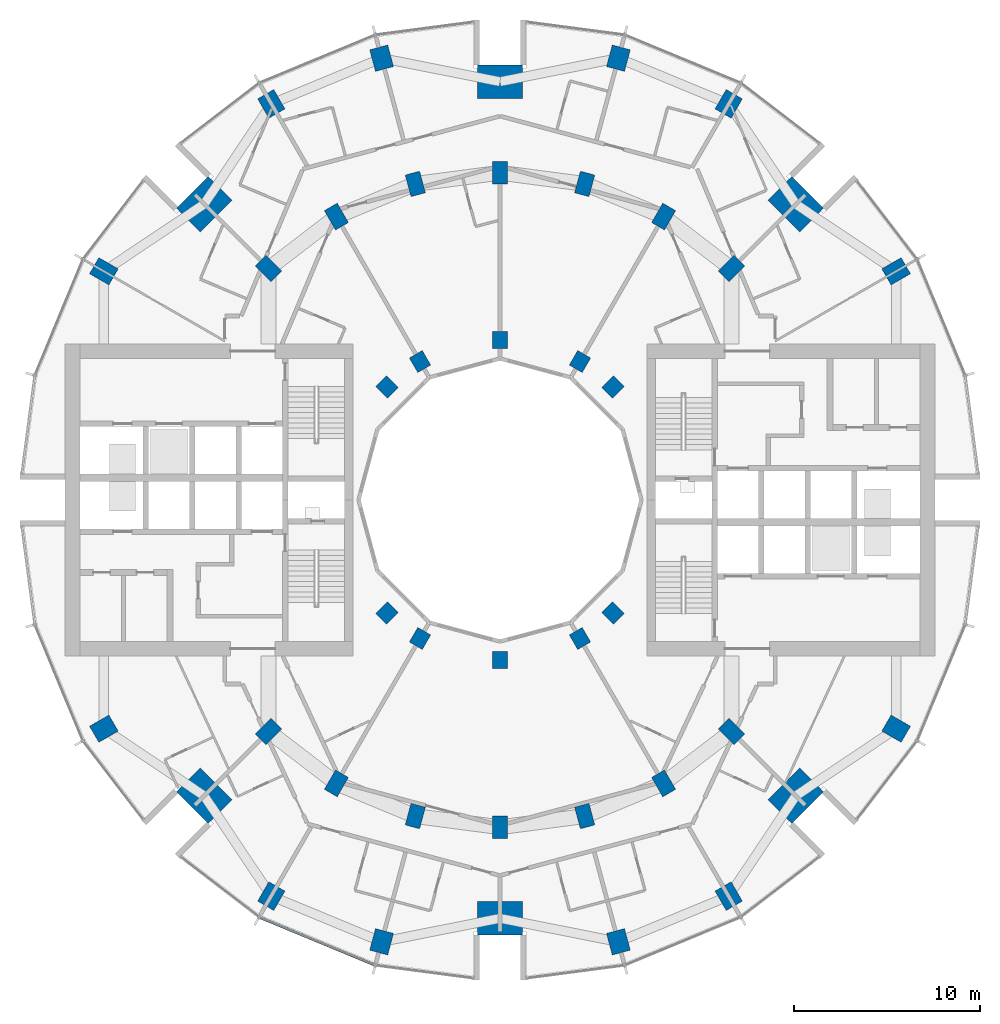
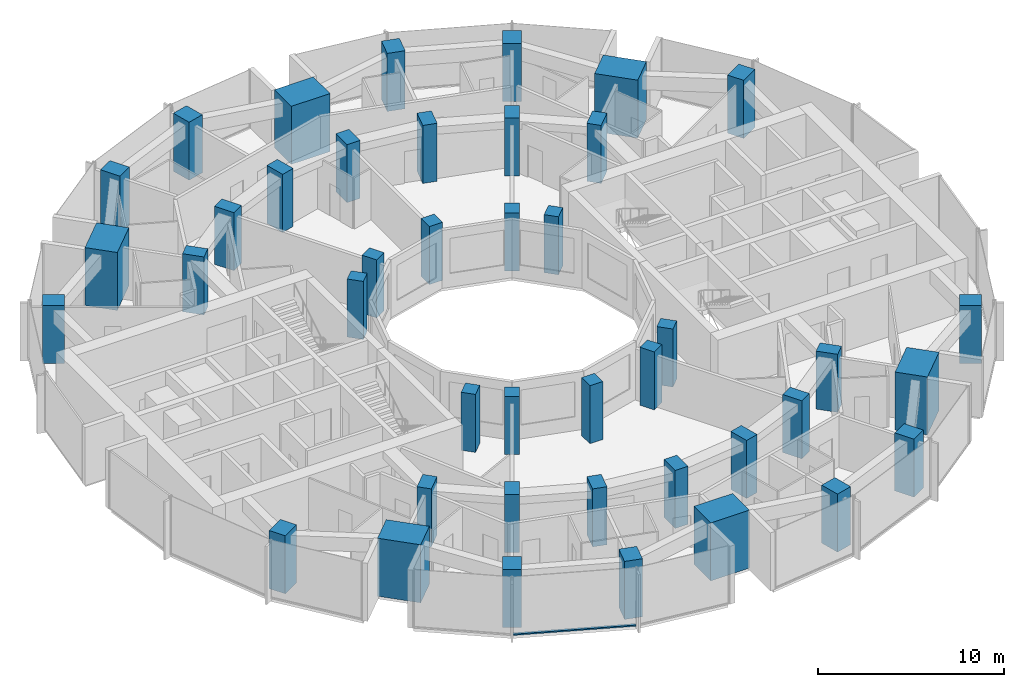
# One storey, part 1 of 15: 42 columns, 1 member, 1 element without a shape of its own.
"""IFC4 building model written with IfcOpenShell, lengths in metres."""

from ifc_helpers import new_model, si_unit, direction, frame, origin, origin_2d, place, context, subcontext, project, spatial, rectangle, extrude, material, layer, layer_set, material_profile, profile_set, type_object, element, aggregate, save


model = new_model("IFC4")

# Units and contexts
model_context = context("Model", 3, precision=1e-05, world=origin(), true_north=direction((0.0, 1.0)))
body_context = subcontext(model_context, "Body", "Model", "MODEL_VIEW")
ifc_project = project(units=[si_unit("LENGTHUNIT", "METRE"), si_unit("AREAUNIT", "SQUARE_METRE"), si_unit("VOLUMEUNIT", "CUBIC_METRE"), si_unit("PLANEANGLEUNIT", "RADIAN"), si_unit("MASSUNIT", "GRAM", prefix="KILO")], contexts=[model_context])

# Site, building, storey
site_placement = place(None, origin())
site = spatial("IfcSite", under=ifc_project, at=site_placement, CompositionType="ELEMENT")
building_placement = place(site_placement, origin())
building = spatial("IfcBuilding", under=site, at=building_placement, Name="Torre Brocal", CompositionType="ELEMENT")
storey_placement = place(building_placement, frame((0.0, 0.0, 82.39990234375)))
storey = spatial("IfcBuildingStorey", under=building, at=storey_placement, Name="L18", CompositionType="ELEMENT", Elevation=82.39990234375)

# Columns
ifc_material_1 = material(Name="Concrete C80", Category="concrete")
ifc_material_profile_1 = material_profile(ifc_material_1, rectangle(XDim=1.199951171875, YDim=1.0, at=origin_2d()), Name="RC 1200X1000")
ifc_profile_set_1 = profile_set([ifc_material_profile_1], Name="Concrete C80")
column_type_1 = type_object("IfcColumnType", Name="RC COLUMN 1200X1000 C80", PredefinedType="COLUMN", material=ifc_profile_set_1)
for number, where, z_axis, x_axis, name in (
    (1, (101.30419921875, 87.300048828125, 0.0), (0.0, 0.0, 1.0), (0.866025403784, 0.5, 0.0), "Column C-O02"),
    (2, (92.300048828125, 96.30419921875, 0.0), (0.0, 0.0, 1.0), (0.5, 0.866025403784, 0.0), "Column C-O04"),
    (3, (86.366943359375, 98.76171875, 0.0), (0.0, 0.0, 1.0), (0.258819045103, 0.965925826289, 0.0), "Column C-O05"),
    (4, (73.633056640625, 98.76171875, 0.0), (0.0, 0.0, 1.0), (-0.258819045103, 0.965925826289, 0.0), "Column C-O07"),
    (5, (67.699951171875, 96.30419921875, 0.0), (0.0, 0.0, 1.0), (-0.5, 0.866025403784, 0.0), "Column C-O08"),
    (6, (58.69580078125, 87.300048828125, 0.0), (0.0, 0.0, 1.0), (-0.866025403784, 0.5, 0.0), "Column C-O10"),
    (7, (58.69580078125, 62.699951171875, 0.0), (0.0, 0.0, 1.0), (-0.866025403784, -0.5, 0.0), "Column C-O14"),
    (8, (67.699951171875, 53.69580078125, 0.0), (0.0, 0.0, 1.0), (-0.5, -0.866025403784, 0.0), "Column C-O16"),
    (9, (73.633056640625, 51.23828125, 0.0), (0.0, 0.0, 1.0), (-0.258819045103, -0.965925826289, 0.0), "Column C-O17"),
    (10, (86.366943359375, 51.23828125, 0.0), (0.0, 0.0, 1.0), (0.258819045103, -0.965925826289, 0.0), "Column C-O19"),
    (11, (92.300048828125, 53.69580078125, 0.0), (0.0, 0.0, 1.0), (0.5, -0.866025403784, 0.0), "Column C-O20"),
    (12, (101.30419921875, 62.699951171875, 0.0), (0.0, 0.0, 1.0), (0.866025403784, -0.5, 0.0), "Column C-O22"),
):
    element("IfcColumn", number, at=place(storey_placement, frame(where, z_axis=z_axis, x_axis=x_axis)), inside=storey, type_object=column_type_1, Name=name, PredefinedType="COLUMN", context=body_context, shape_type="SweptSolid", body=[
        extrude(rectangle(XDim=1.199951171875, YDim=1.0, at=origin_2d()), origin(), (0.0, 0.0, 1.0), 3.800048828125),
    ])
ifc_material_2 = material(Name="Concrete C80", Category="concrete")
ifc_material_profile_2 = material_profile(ifc_material_2, rectangle(XDim=1.199951171875, YDim=0.800048828125, at=origin_2d()), Name="RC 1200X800")
ifc_profile_set_2 = profile_set([ifc_material_profile_2], Name="Concrete C80")
column_type_2 = type_object("IfcColumnType", Name="RC COLUMN 1200X800 C80", PredefinedType="COLUMN", material=ifc_profile_set_2)
for number, where, z_axis, x_axis, name in (
    (13, (92.445068359375, 87.445068359375, 0.0), (0.0, 0.0, 1.0), (0.707106781187, 0.707106781187, 0.0), "Column C-M03"),
    (14, (88.800048828125, 90.241943359375, 0.0), (0.0, 0.0, 1.0), (0.5, 0.866025403784, 0.0), "Column C-M04"),
    (15, (84.55517578125, 92.000244140625, 0.0), (0.0, 0.0, 1.0), (0.258819045103, 0.965925826289, 0.0), "Column C-M05"),
    (16, (80.0, 92.60009765625, 0.0), (0.0, 0.0, 1.0), (0.0, 1.0, 0.0), "Column C-M06"),
    (17, (75.44482421875, 92.000244140625, 0.0), (0.0, 0.0, 1.0), (-0.258819045103, 0.965925826289, 0.0), "Column C-M07"),
    (18, (71.199951171875, 90.241943359375, 0.0), (0.0, 0.0, 1.0), (-0.5, 0.866025403784, 0.0), "Column C-M08"),
    (19, (67.554931640625, 87.445068359375, 0.0), (0.0, 0.0, 1.0), (-0.707106781187, 0.707106781187, 0.0), "Column C-M09"),
    (20, (67.554931640625, 62.554931640625, 0.0), (0.0, 0.0, 1.0), (-0.707106781187, -0.707106781187, 0.0), "Column C-M15"),
    (21, (71.199951171875, 59.758056640625, 0.0), (0.0, 0.0, 1.0), (-0.5, -0.866025403784, 0.0), "Column C-M16"),
    (22, (75.44482421875, 57.999755859375, 0.0), (0.0, 0.0, 1.0), (-0.258819045103, -0.965925826289, 0.0), "Column C-M17"),
    (23, (80.0, 57.39990234375, 0.0), (0.0, 0.0, 1.0), (0.0, -1.0, 0.0), "Column C-M18"),
    (24, (84.55517578125, 57.999755859375, 0.0), (0.0, 0.0, 1.0), (0.258819045103, -0.965925826289, 0.0), "Column C-M19"),
    (25, (88.800048828125, 59.758056640625, 0.0), (0.0, 0.0, 1.0), (0.5, -0.866025403784, 0.0), "Column C-M20"),
    (26, (92.445068359375, 62.554931640625, 0.0), (0.0, 0.0, 1.0), (0.707106781187, -0.707106781187, 0.0), "Column C-M21"),
):
    element("IfcColumn", number, at=place(storey_placement, frame(where, z_axis=z_axis, x_axis=x_axis)), inside=storey, type_object=column_type_2, Name=name, PredefinedType="COLUMN", context=body_context, shape_type="SweptSolid", body=[
        extrude(rectangle(XDim=1.199951171875, YDim=0.800048828125, at=origin_2d()), origin(), (0.0, 0.0, 1.0), 3.800048828125),
    ])
ifc_material_3 = material(Name="Concrete C80", Category="concrete")
ifc_material_profile_3 = material_profile(ifc_material_3, rectangle(XDim=1.800048828125, YDim=2.39990234375, at=origin_2d()), Name="RC 1800X2400")
ifc_profile_set_3 = profile_set([ifc_material_profile_3], Name="Concrete C80")
column_type_3 = type_object("IfcColumnType", Name="RC COLUMN 1800X2400 C80", PredefinedType="COLUMN", material=ifc_profile_set_3)
for number, where, z_axis, x_axis, name in (
    (27, (95.909912109375, 90.909912109375, 0.0), (0.0, 0.0, 1.0), (0.707106781187, 0.707106781187, 0.0), "Column MC-1"),
    (28, (80.0, 97.5, 0.0), (0.0, 0.0, 1.0), (0.0, 1.0, 0.0), "Column MC-2"),
    (29, (64.090087890625, 90.909912109375, 0.0), (0.0, 0.0, 1.0), (-0.707106781187, 0.707106781187, 0.0), "Column MC-3"),
    (30, (64.090087890625, 59.090087890625, 0.0), (0.0, 0.0, 1.0), (-0.707106781187, -0.707106781187, 0.0), "Column MC-5"),
    (31, (80.0, 52.5, 0.0), (0.0, 0.0, 1.0), (0.0, -1.0, 0.0), "Column MC-6"),
    (32, (95.909912109375, 59.090087890625, 0.0), (0.0, 0.0, 1.0), (0.707106781187, -0.707106781187, 0.0), "Column MC-7"),
):
    element("IfcColumn", number, at=place(storey_placement, frame(where, z_axis=z_axis, x_axis=x_axis)), inside=storey, type_object=column_type_3, Name=name, PredefinedType="COLUMN", context=body_context, shape_type="SweptSolid", body=[
        extrude(rectangle(XDim=1.800048828125, YDim=2.39990234375, at=origin_2d()), origin(), (0.0, 0.0, 1.0), 3.800048828125),
    ])
ifc_material_4 = material(Name="Concrete C80", Category="concrete")
ifc_material_profile_4 = material_profile(ifc_material_4, rectangle(XDim=0.89990234375, YDim=0.800048828125, at=origin_2d()), Name="RC 900X800")
ifc_profile_set_4 = profile_set([ifc_material_profile_4], Name="Concrete C80")
column_type_4 = type_object("IfcColumnType", Name="RC COLUMN 900X800 C80", PredefinedType="COLUMN", material=ifc_profile_set_4)
for number, where, z_axis, x_axis, name in (
    (33, (86.0810546875, 81.0810546875, 0.0), (0.0, 0.0, 1.0), (0.707106781187, 0.707106781187, 0.0), "Column C-I03"),
    (34, (84.300048828125, 82.44775390625, 0.0), (0.0, 0.0, 1.0), (0.5, 0.866025403784, 0.0), "Column C-I04"),
    (35, (80.0, 83.60009765625, 0.0), (0.0, 0.0, 1.0), (0.0, 1.0, 0.0), "Column C-I06"),
    (36, (75.699951171875, 82.44775390625, 0.0), (0.0, 0.0, 1.0), (-0.5, 0.866025403784, 0.0), "Column C-I08"),
    (37, (73.9189453125, 81.0810546875, 0.0), (0.0, 0.0, 1.0), (-0.707106781187, 0.707106781187, 0.0), "Column C-I09"),
    (38, (73.9189453125, 68.9189453125, 0.0), (0.0, 0.0, 1.0), (-0.707106781187, -0.707106781187, 0.0), "Column C-I15"),
    (39, (75.699951171875, 67.55224609375, 0.0), (0.0, 0.0, 1.0), (-0.5, -0.866025403784, 0.0), "Column C-I16"),
    (40, (80.0, 66.39990234375, 0.0), (0.0, 0.0, 1.0), (0.0, -1.0, 0.0), "Column C-I18"),
    (41, (84.300048828125, 67.55224609375, 0.0), (0.0, 0.0, 1.0), (0.5, -0.866025403784, 0.0), "Column C-I20"),
    (42, (86.0810546875, 68.9189453125, 0.0), (0.0, 0.0, 1.0), (0.707106781187, -0.707106781187, 0.0), "Column C-I21"),
):
    element("IfcColumn", number, at=place(storey_placement, frame(where, z_axis=z_axis, x_axis=x_axis)), inside=storey, type_object=column_type_4, Name=name, PredefinedType="COLUMN", context=body_context, shape_type="SweptSolid", body=[
        extrude(rectangle(XDim=0.89990234375, YDim=0.800048828125, at=origin_2d()), origin(), (0.0, 0.0, 1.0), 3.800048828125),
    ])

# Curtain wall, member
ifc_material_5 = material(Name="Aluminium and glass", Category="aluminium")
ifc_layer = layer(ifc_material_5, 0.199951171875)
ifc_layer_set = layer_set([ifc_layer], Name="Aluminium and glass")
curtain_wall_type = type_object("IfcCurtainWallType", Name="CW-1 CURTAIN WALL 3800 HIGH", PredefinedType="NOTDEFINED", material=ifc_layer_set)
curtain_wall_placement = place(storey_placement, origin())
curtain_wall = element("IfcCurtainWall", 43, at=curtain_wall_placement, inside=storey, type_object=curtain_wall_type, Name="CW-1 RUN 17", PredefinedType="NOTDEFINED")
ifc_material_6 = material(Name="Aluminium, dark anodised", Category="aluminium")
ifc_material_profile_5 = material_profile(ifc_material_6, rectangle(XDim=0.159912109375, YDim=0.080078125, at=origin_2d()), Name="CW-1 TRANSOM 160X80")
ifc_profile_set_5 = profile_set([ifc_material_profile_5], Name="Aluminium, dark anodised")
member_type = type_object("IfcMemberType", Name="CW-1 TRANSOM 160X80", PredefinedType="USERDEFINED", material=ifc_profile_set_5)
member_placement = place(storey_placement, frame((67.10595703125, 52.547607421875, 0.0400390625), z_axis=(0.923887344364, -0.38266457234, 0.0), x_axis=(0.38266457234, 0.923887344364, 0.0)))
member = element("IfcMember", 44, at=member_placement, type_object=member_type, Name="CW1-1 transom 1.1", ObjectType="TRANSOM", PredefinedType="USERDEFINED", context=body_context, shape_type="SweptSolid", body=[
    extrude(rectangle(XDim=0.159912109375, YDim=0.080078125, at=origin_2d()), origin(), (0.0, 0.0, 1.0), 6.640869140625),
])
aggregate(curtain_wall, [member])

save(model, "model.ifc")
